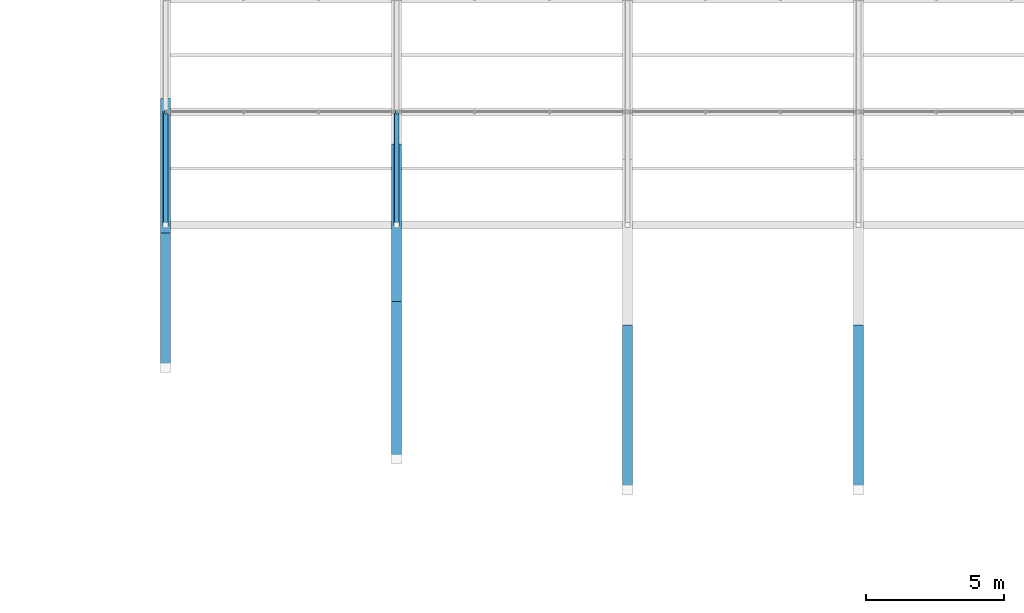
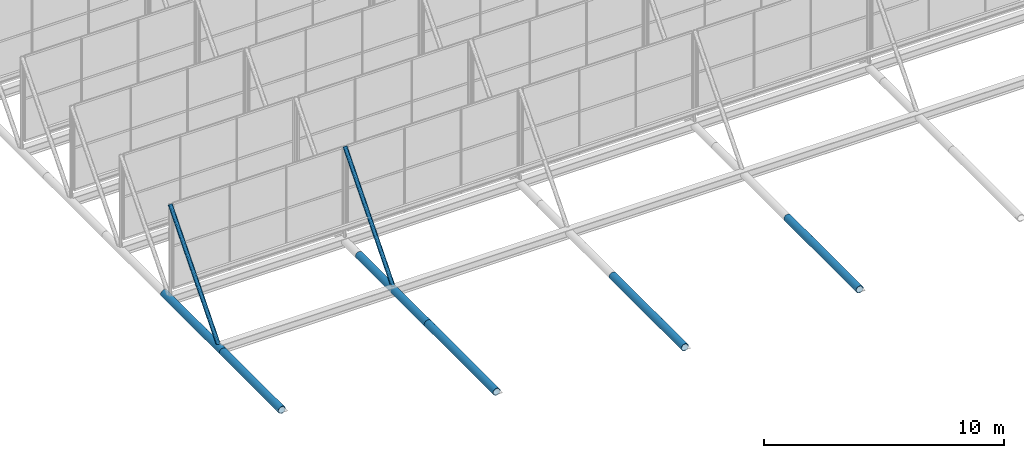
# One storey, part 3 of 77: 8 members.
"""IFC4 building model written with IfcOpenShell, lengths in metres."""

from ifc_helpers import new_model, si_unit, derived_unit, direction, frame, origin, origin_2d, place, context, subcontext, project, spatial, hollow_circle, extrude, material, material_profile, profile_set, type_object, element, save


model = new_model("IFC4")

# Units and contexts
model_context = context("Model", 3, precision=1e-05, world=origin(), true_north=direction((0.0, 1.0)))
body_context = subcontext(model_context, "Body", "Model", "MODEL_VIEW")
ifc_project = project(units=[si_unit("LENGTHUNIT", "METRE"), si_unit("AREAUNIT", "SQUARE_METRE"), si_unit("VOLUMEUNIT", "CUBIC_METRE"), si_unit("PLANEANGLEUNIT", "RADIAN"), si_unit("MASSUNIT", "GRAM", prefix="KILO"), derived_unit("THERMALTRANSMITTANCEUNIT", [(si_unit("MASSUNIT", "GRAM", prefix="KILO"), 1), (si_unit("TIMEUNIT", "SECOND"), -3), (si_unit("THERMODYNAMICTEMPERATUREUNIT", "KELVIN"), -1)])], contexts=[model_context])

# Site, building, storey
site_placement = place(None, origin())
site = spatial("IfcSite", under=ifc_project, at=site_placement, CompositionType="ELEMENT")
building_placement = place(site_placement, origin())
building = spatial("IfcBuilding", under=site, at=building_placement, Name="Kharveza Railside Sports Centre", CompositionType="ELEMENT")
storey_placement = place(building_placement, frame((0.0, 0.0, 17.10009765625)))
storey = spatial("IfcBuildingStorey", under=building, at=storey_placement, Name="L04", CompositionType="ELEMENT", Elevation=17.10009765625)

# Members
ifc_material = material(Name="Steel S355J2", Category="steel")
ifc_material_profile_1 = material_profile(ifc_material, hollow_circle(Radius=0.177734375, WallThickness=0.01611328125, at=origin_2d()), Name="CHS 355.6x16.0")
ifc_profile_set_1 = profile_set([ifc_material_profile_1], Name="Steel S355J2")
member_type_1 = type_object("IfcMemberType", Name="MB-CH01", PredefinedType="CHORD", material=ifc_profile_set_1)
member_1_placement = place(storey_placement, frame((33.60009765625, 30.8134765625, -1.050048828125), z_axis=(0.0, 1.0, 0.0), x_axis=(-1.0, 0.0, 0.0)))
element("IfcMember", 1, at=member_1_placement, inside=storey, type_object=member_type_1, Name="MB-V1TR-TC-1-1", PredefinedType="CHORD", context=body_context, shape_type="SweptSolid", body=[
    extrude(hollow_circle(Radius=0.177734375, WallThickness=0.01611328125, at=origin_2d()), origin(), (0.0, 0.0, 1.0), 4.896728515625),
])
member_2_placement = place(storey_placement, frame((33.60009765625, 35.710205078125, -1.050048828125), z_axis=(0.0, 1.0, 0.0), x_axis=(-1.0, 0.0, 0.0)))
element("IfcMember", 2, at=member_2_placement, inside=storey, type_object=member_type_1, Name="MB-V1TR-TC-1-2", PredefinedType="CHORD", context=body_context, shape_type="SweptSolid", body=[
    extrude(hollow_circle(Radius=0.177734375, WallThickness=0.01611328125, at=origin_2d()), origin(), (0.0, 0.0, 1.0), 4.896484375),
])
member_3_placement = place(storey_placement, frame((42.0, 27.484619140625, -1.050048828125), z_axis=(0.0, 1.0, 0.0), x_axis=(-1.0, 0.0, 0.0)))
element("IfcMember", 3, at=member_3_placement, inside=storey, type_object=member_type_1, Name="MB-V1TR-TC-2-1", PredefinedType="CHORD", context=body_context, shape_type="SweptSolid", body=[
    extrude(hollow_circle(Radius=0.177734375, WallThickness=0.01611328125, at=origin_2d()), origin(), (0.0, 0.0, 1.0), 5.728759765625),
])
member_4_placement = place(storey_placement, frame((42.0, 33.21337890625, -1.050048828125), z_axis=(0.0, 1.0, 0.0), x_axis=(-1.0, 0.0, 0.0)))
element("IfcMember", 4, at=member_4_placement, inside=storey, type_object=member_type_1, Name="MB-V1TR-TC-2-2", PredefinedType="CHORD", context=body_context, shape_type="SweptSolid", body=[
    extrude(hollow_circle(Radius=0.177734375, WallThickness=0.01611328125, at=origin_2d()), origin(), (0.0, 0.0, 1.0), 5.72900390625),
])
for number, where, z_axis, x_axis, name in (
    (5, (50.39990234375, 26.361572265625, -1.050048828125), (0.0, 1.0, 0.0), (-1.0, 0.0, 0.0), "MB-V1TR-TC-3-1"),
    (6, (58.800048828125, 26.361572265625, -1.050048828125), (0.0, 1.0, 0.0), (-1.0, 0.0, 0.0), "MB-V1TR-TC-4-1"),
):
    element("IfcMember", number, at=place(storey_placement, frame(where, z_axis=z_axis, x_axis=x_axis)), inside=storey, type_object=member_type_1, Name=name, PredefinedType="CHORD", context=body_context, shape_type="SweptSolid", body=[
        extrude(hollow_circle(Radius=0.177734375, WallThickness=0.01611328125, at=origin_2d()), origin(), (0.0, 0.0, 1.0), 6.009521484375),
    ])
ifc_material_profile_2 = material_profile(ifc_material, hollow_circle(Radius=0.096923828125, WallThickness=0.010009765625, at=origin_2d()), Name="CHS 193.7x10.0")
ifc_profile_set_2 = profile_set([ifc_material_profile_2], Name="Steel S355J2")
member_type_2 = type_object("IfcMemberType", Name="MB-ST02", PredefinedType="STRUT", material=ifc_profile_set_2)
for number, where, z_axis, x_axis, name in (
    (7, (33.60009765625, 36.0, -1.050048828125), (0.0, 0.650003261435, 0.759931418039), (-1.0, 0.0, 0.0), "MB-V1SAW-RFT-1-1"),
    (8, (42.0, 36.0, -1.050048828125), (0.0, 0.650003261435, 0.759931418039), (-1.0, 0.0, 0.0), "MB-V1SAW-RFT-1-2"),
):
    element("IfcMember", number, at=place(storey_placement, frame(where, z_axis=z_axis, x_axis=x_axis)), inside=storey, type_object=member_type_2, Name=name, PredefinedType="STRUT", context=body_context, shape_type="SweptSolid", body=[
        extrude(hollow_circle(Radius=0.096923828125, WallThickness=0.010009765625, at=origin_2d()), origin(), (0.0, 0.0, 1.0), 6.32958984375),
    ])

save(model, "model.ifc")
